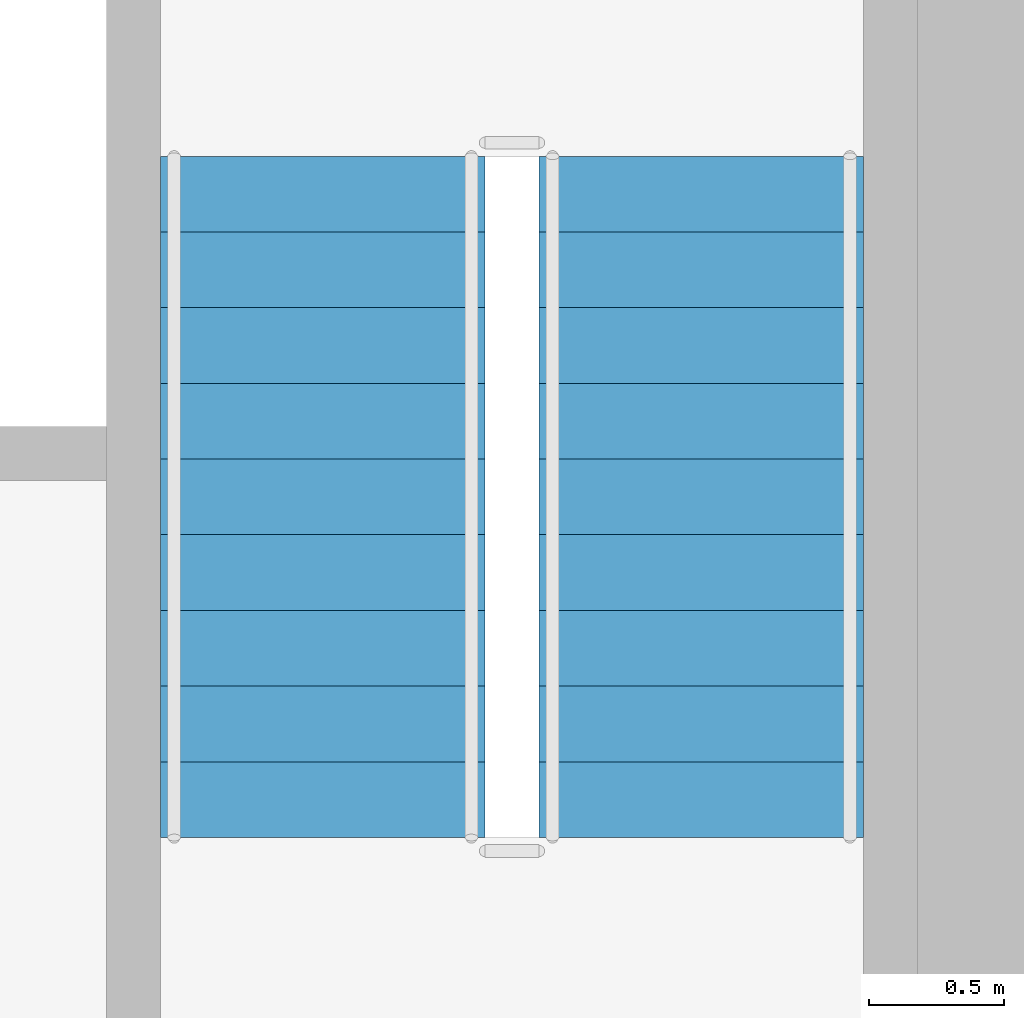
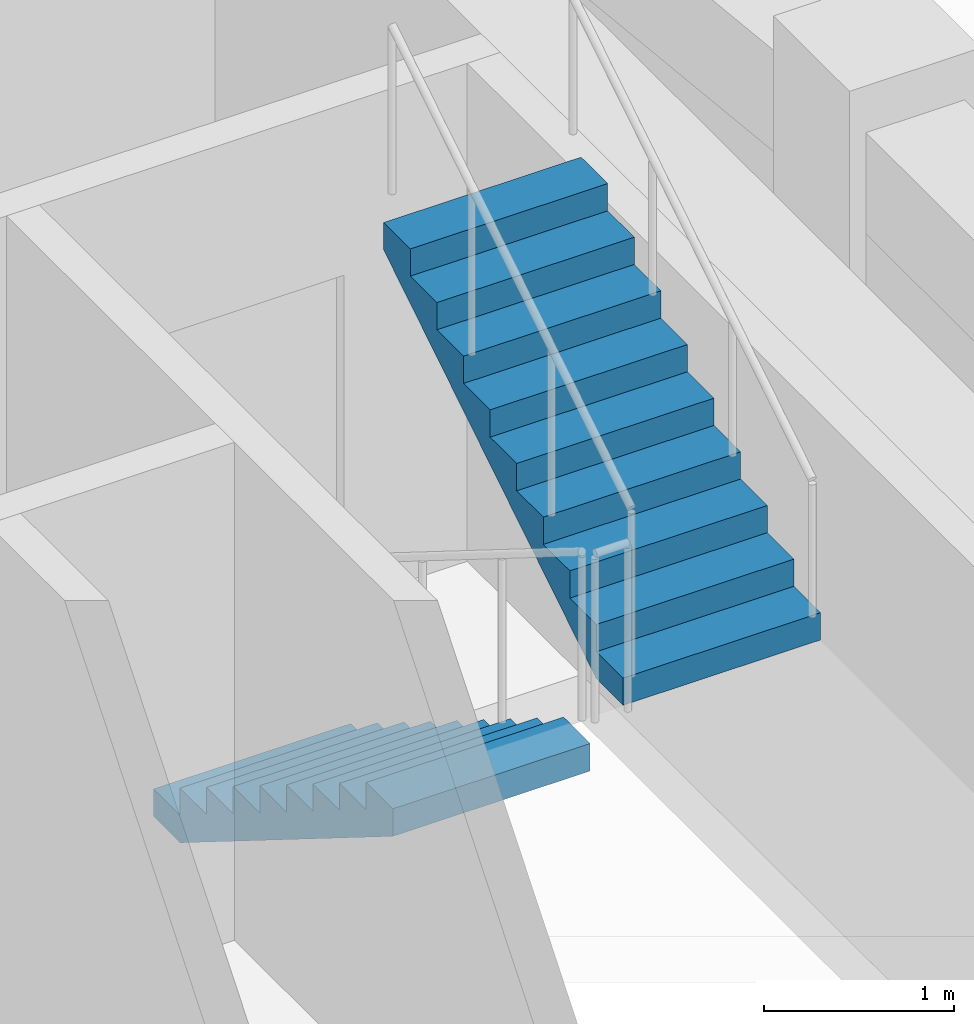
# One storey, part 9 of 18: 2 stair flights, 1 element without a shape of its own.
"""IFC4 building model written with IfcOpenShell, lengths in metres."""

from ifc_helpers import new_model, si_unit, direction, frame, origin, place, context, subcontext, project, spatial, polyline, outline, extrude, material, type_object, element, aggregate, save


model = new_model("IFC4")

# Units and contexts
model_context = context("Model", 3, precision=1e-05, world=origin(), true_north=direction((0.0, 1.0)))
body_context = subcontext(model_context, "Body", "Model", "MODEL_VIEW")
ifc_project = project(units=[si_unit("LENGTHUNIT", "METRE"), si_unit("AREAUNIT", "SQUARE_METRE"), si_unit("VOLUMEUNIT", "CUBIC_METRE"), si_unit("PLANEANGLEUNIT", "RADIAN"), si_unit("MASSUNIT", "GRAM", prefix="KILO")], contexts=[model_context])

# Site, building, storey
site_placement = place(None, origin())
site = spatial("IfcSite", under=ifc_project, at=site_placement, CompositionType="ELEMENT")
building_placement = place(site_placement, origin())
building = spatial("IfcBuilding", under=site, at=building_placement, Name="Kiln Ring Residences", CompositionType="ELEMENT")
storey_placement = place(building_placement, frame((0.0, 0.0, 262.699951171875)))
storey = spatial("IfcBuildingStorey", under=building, at=storey_placement, Name="L68", CompositionType="ELEMENT", Elevation=262.699951171875)

# Stair, stair flights
ifc_material_1 = material(Name="Concrete C40/50", Category="concrete")
stair_type = type_object("IfcStairType", Name="CORE-STAIR", PredefinedType="HALF_TURN_STAIR", material=ifc_material_1)
stair_placement = place(storey_placement, origin())
stair = element("IfcStair", 1, at=stair_placement, inside=storey, type_object=stair_type, Name="L68 stair E-STN", PredefinedType="HALF_TURN_STAIR")
ifc_material_2 = material(Name="Concrete C40/50", Category="concrete")
stair_flight_type = type_object("IfcStairFlightType", Name="CORE-STAIR-FLIGHT", PredefinedType="STRAIGHT", material=ifc_material_2)
stair_flight_1_placement = place(storey_placement, frame((21.39990234375, 8.39990234375, 0.0), z_axis=(0.0, 0.0, 1.0), x_axis=(0.0, -1.0, 0.0)))
stair_flight_1 = element("IfcStairFlight", 2, at=stair_flight_1_placement, type_object=stair_flight_type, Name="E-STN flight 1", NumberOfRisers=10, NumberOfTreads=9, PredefinedType="STRAIGHT", RiserHeight=0.175, TreadLength=0.28, context=body_context, shape_type="SweptSolid", body=[
    extrude(outline(polyline([(0.0, 0.0), (0.0, 0.175048828125), (0.280029296875, 0.175048828125), (0.280029296875, 0.35009765625), (0.56005859375, 0.35009765625), (0.56005859375, 0.52490234375), (0.840087890625, 0.52490234375), (0.840087890625, 0.699951171875), (1.1201171875, 0.699951171875), (1.1201171875, 0.875), (1.39990234375, 0.875), (1.39990234375, 1.050048828125), (1.679931640625, 1.050048828125), (1.679931640625, 1.22509765625), (1.9599609375, 1.22509765625), (1.9599609375, 1.39990234375), (2.239990234375, 1.39990234375), (2.239990234375, 1.574951171875), (2.52001953125, 1.574951171875), (2.52001953125, 1.75), (2.52001953125, 1.398193359375), (0.28271484375, 0.0), (0.0, 0.0)])), frame((0.0, 0.60009765625, 0.0), z_axis=(0.0, -1.0, 0.0), x_axis=(1.0, 0.0, 0.0)), (0.0, 0.0, 1.0), 1.199951171875),
])
stair_flight_2_placement = place(storey_placement, frame((22.800048828125, 5.8798828125, 1.75), z_axis=(0.0, 0.0, 1.0), x_axis=(0.0, 1.0, 0.0)))
stair_flight_2 = element("IfcStairFlight", 3, at=stair_flight_2_placement, type_object=stair_flight_type, Name="E-STN flight 2", NumberOfRisers=10, NumberOfTreads=9, PredefinedType="STRAIGHT", RiserHeight=0.175, TreadLength=0.28, context=body_context, shape_type="SweptSolid", body=[
    extrude(outline(polyline([(0.0, 0.0), (0.0, 0.175048828125), (0.280029296875, 0.175048828125), (0.280029296875, 0.35009765625), (0.56005859375, 0.35009765625), (0.56005859375, 0.52490234375), (0.840087890625, 0.52490234375), (0.840087890625, 0.699951171875), (1.1201171875, 0.699951171875), (1.1201171875, 0.875), (1.39990234375, 0.875), (1.39990234375, 1.050048828125), (1.679931640625, 1.050048828125), (1.679931640625, 1.22509765625), (1.9599609375, 1.22509765625), (1.9599609375, 1.39990234375), (2.239990234375, 1.39990234375), (2.239990234375, 1.574951171875), (2.52001953125, 1.574951171875), (2.52001953125, 1.75), (2.52001953125, 1.398193359375), (0.28271484375, 0.0), (0.0, 0.0)])), frame((0.0, 0.60009765625, 0.0), z_axis=(0.0, -1.0, 0.0), x_axis=(1.0, 0.0, 0.0)), (0.0, 0.0, 1.0), 1.199951171875),
])
aggregate(stair, [stair_flight_1, stair_flight_2])

save(model, "model.ifc")
